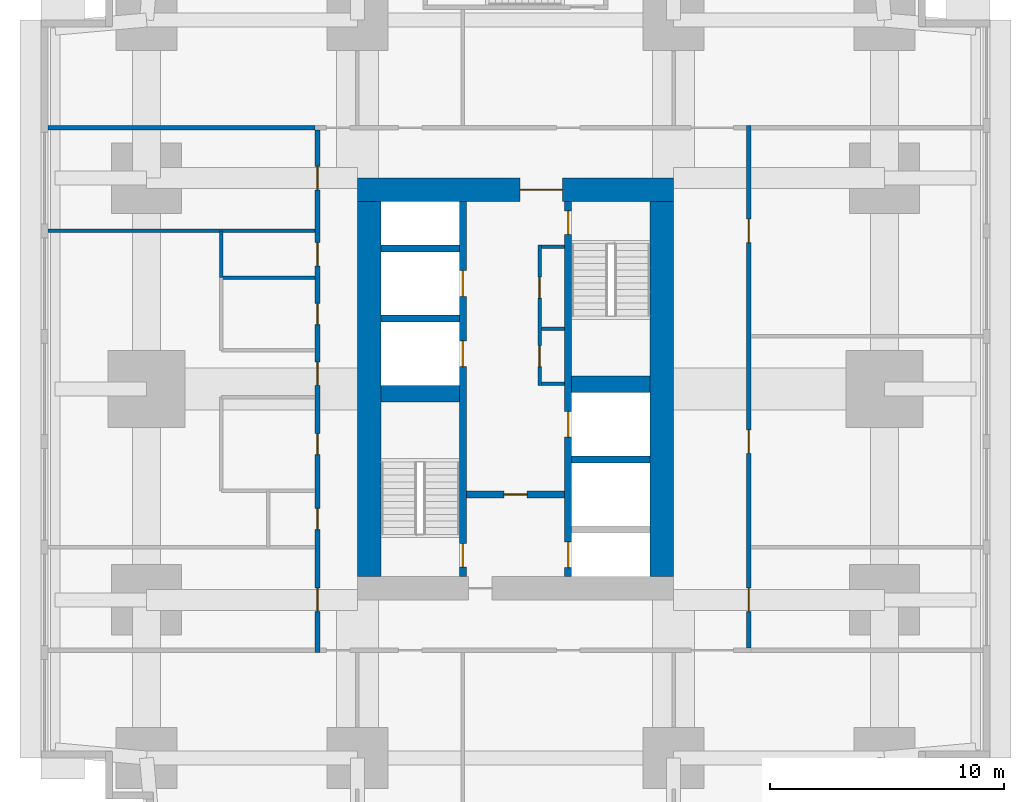
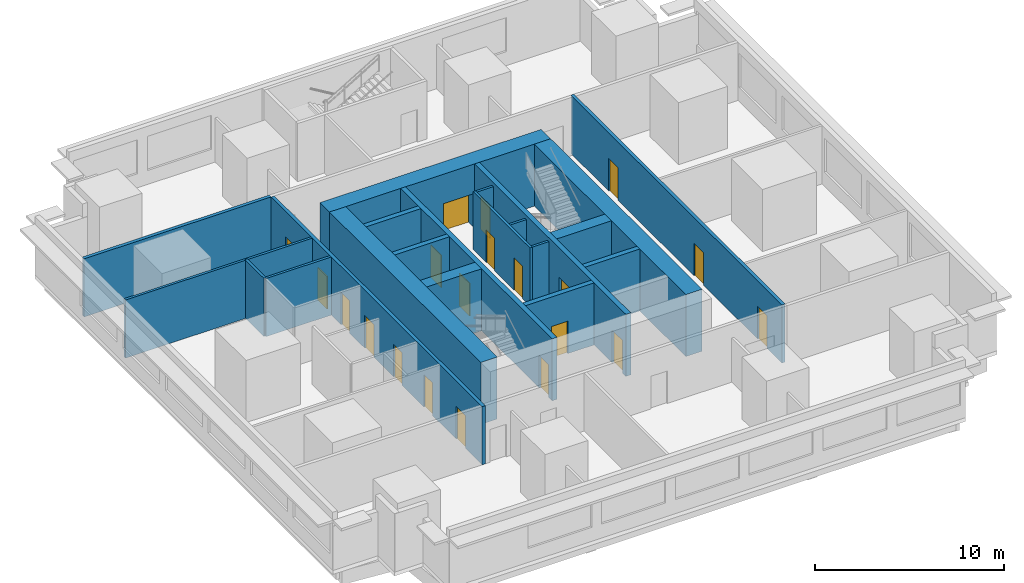
# One storey, part 4 of 12: 21 walls, 20 doors, 20 openings.
"""IFC4 building model written with IfcOpenShell, lengths in metres."""

from ifc_helpers import new_model, si_unit, direction, frame, frame_2d, origin, place, context, subcontext, project, spatial, rectangle, extrude, material, layer, layer_set, type_object, element, fill, save


model = new_model("IFC4")

# Units and contexts
model_context = context("Model", 3, precision=1e-05, world=origin(), true_north=direction((0.0, 1.0)))
body_context = subcontext(model_context, "Body", "Model", "MODEL_VIEW")
ifc_project = project(units=[si_unit("LENGTHUNIT", "METRE"), si_unit("AREAUNIT", "SQUARE_METRE"), si_unit("VOLUMEUNIT", "CUBIC_METRE"), si_unit("PLANEANGLEUNIT", "RADIAN"), si_unit("MASSUNIT", "GRAM", prefix="KILO")], contexts=[model_context])

# Site, building, storey
site_placement = place(None, origin())
site = spatial("IfcSite", under=ifc_project, at=site_placement, CompositionType="ELEMENT")
building_placement = place(site_placement, origin())
building = spatial("IfcBuilding", under=site, at=building_placement, Name="Namib Vertical Campus", CompositionType="ELEMENT")
storey_placement = place(building_placement, frame((0.0, 0.0, 45.0)))
storey = spatial("IfcBuildingStorey", under=building, at=storey_placement, Name="L10", CompositionType="ELEMENT", Elevation=45.0)

# Wall, openings, doors
ifc_material_1 = material(Name="Concrete C60/75", Category="concrete")
ifc_layer_1 = layer(ifc_material_1, 0.300048828125)
ifc_layer_set_1 = layer_set([ifc_layer_1], Name="Concrete C60/75")
wall_type_1 = type_object("IfcWallType", Name="Core inner wall 300", PredefinedType="SHEAR", material=ifc_layer_set_1)
wall_1_placement = place(storey_placement, frame((18.0, 12.25, 0.0), z_axis=(0.0, 0.0, 1.0), x_axis=(0.0, 1.0, 0.0)))
wall_1 = element("IfcWall", 1, at=wall_1_placement, inside=storey, type_object=wall_type_1, Name="Core inner wall A L10 W1", PredefinedType="SHEAR", context=body_context, shape_type="SweptSolid", body=[
    extrude(rectangle(XDim=16.0, YDim=0.300048828125, at=frame_2d((8.0, 0.0))), origin(), (0.0, 0.0, 1.0), 4.0),
])
opening_1_placement = place(wall_1_placement, frame((0.39990234375, 0.0, 0.0)))
opening_1 = element("IfcOpeningElement", 2, at=opening_1_placement, cuts=wall_1, Name="Opening FD1", PredefinedType="OPENING", context=body_context, shape_type="SweptSolid", body=[
    extrude(rectangle(XDim=1.0, YDim=2.10009765625, at=frame_2d((0.5, 1.050048828125))), frame((0.0, 0.159912109375, 0.0), z_axis=(0.0, -1.0, 0.0), x_axis=(1.0, 0.0, 0.0)), (0.0, 0.0, 1.0), 0.320068359375),
])
opening_2_placement = place(wall_1_placement, frame((8.949951171875, 0.0, 0.0)))
opening_2 = element("IfcOpeningElement", 3, at=opening_2_placement, cuts=wall_1, Name="Opening LD1", PredefinedType="OPENING", context=body_context, shape_type="SweptSolid", body=[
    extrude(rectangle(XDim=1.10009765625, YDim=2.10009765625, at=frame_2d((0.550048828125, 1.050048828125))), frame((0.0, 0.159912109375, 0.0), z_axis=(0.0, -1.0, 0.0), x_axis=(1.0, 0.0, 0.0)), (0.0, 0.0, 1.0), 0.320068359375),
])
opening_3_placement = place(wall_1_placement, frame((11.949951171875, 0.0, 0.0)))
opening_3 = element("IfcOpeningElement", 4, at=opening_3_placement, cuts=wall_1, Name="Opening LD1", PredefinedType="OPENING", context=body_context, shape_type="SweptSolid", body=[
    extrude(rectangle(XDim=1.10009765625, YDim=2.10009765625, at=frame_2d((0.550048828125, 1.050048828125))), frame((0.0, 0.159912109375, 0.0), z_axis=(0.0, -1.0, 0.0), x_axis=(1.0, 0.0, 0.0)), (0.0, 0.0, 1.0), 0.320068359375),
])
ifc_material_2 = material(Name="Steel fire door", Category="steel")
door_type_1 = type_object("IfcDoorType", Name="Fire door 1000x2100", OperationType="SINGLE_SWING_RIGHT", PredefinedType="DOOR", material=ifc_material_2)
door_1_placement = place(opening_1_placement, origin())
door_1 = element("IfcDoor", 5, at=door_1_placement, inside=storey, type_object=door_type_1, Name="Stair door FD1 A L10 S1", OperationType="SINGLE_SWING_LEFT", OverallHeight=2.10009765625, OverallWidth=1.0, PredefinedType="DOOR", context=body_context, shape_type="SweptSolid", body=[
    extrude(rectangle(XDim=1.0, YDim=2.10009765625, at=frame_2d((0.5, 1.050048828125))), frame((0.0, 0.02490234375, 0.0), z_axis=(0.0, -1.0, 0.0), x_axis=(1.0, 0.0, 0.0)), (0.0, 0.0, 1.0), 0.050048828125),
])
fill(opening_1, door_1)
ifc_material_3 = material(Name="Stainless steel lift door", Category="steel")
door_type_2 = type_object("IfcDoorType", Name="Lift landing door 1100x2100", OperationType="DOUBLE_DOOR_SLIDING", PredefinedType="DOOR", material=ifc_material_3)
door_2_placement = place(opening_2_placement, origin())
door_2 = element("IfcDoor", 6, at=door_2_placement, inside=storey, type_object=door_type_2, Name="Lift landing door LD1 A-P1 L10", OperationType="DOUBLE_DOOR_SLIDING", OverallHeight=2.10009765625, OverallWidth=1.10009765625, PredefinedType="DOOR", context=body_context, shape_type="SweptSolid", body=[
    extrude(rectangle(XDim=1.10009765625, YDim=2.10009765625, at=frame_2d((0.550048828125, 1.050048828125))), frame((0.0, 0.02490234375, 0.0), z_axis=(0.0, -1.0, 0.0), x_axis=(1.0, 0.0, 0.0)), (0.0, 0.0, 1.0), 0.050048828125),
])
fill(opening_2, door_2)
door_3_placement = place(opening_3_placement, origin())
door_3 = element("IfcDoor", 7, at=door_3_placement, inside=storey, type_object=door_type_2, Name="Lift landing door LD1 A-P2 L10", OperationType="DOUBLE_DOOR_SLIDING", OverallHeight=2.10009765625, OverallWidth=1.10009765625, PredefinedType="DOOR", context=body_context, shape_type="SweptSolid", body=[
    extrude(rectangle(XDim=1.10009765625, YDim=2.10009765625, at=frame_2d((0.550048828125, 1.050048828125))), frame((0.0, 0.02490234375, 0.0), z_axis=(0.0, -1.0, 0.0), x_axis=(1.0, 0.0, 0.0)), (0.0, 0.0, 1.0), 0.050048828125),
])
fill(opening_3, door_3)

wall_2_placement = place(storey_placement, frame((22.5, 12.25, 0.0), z_axis=(0.0, 0.0, 1.0), x_axis=(0.0, 1.0, 0.0)))
wall_2 = element("IfcWall", 8, at=wall_2_placement, inside=storey, type_object=wall_type_1, Name="Core inner wall A L10 W2", PredefinedType="SHEAR", context=body_context, shape_type="SweptSolid", body=[
    extrude(rectangle(XDim=16.0, YDim=0.300048828125, at=frame_2d((8.0, 0.0))), origin(), (0.0, 0.0, 1.0), 4.0),
])
opening_4_placement = place(wall_2_placement, frame((14.60009765625, 0.0, 0.0)))
opening_4 = element("IfcOpeningElement", 9, at=opening_4_placement, cuts=wall_2, Name="Opening FD1", PredefinedType="OPENING", context=body_context, shape_type="SweptSolid", body=[
    extrude(rectangle(XDim=1.0, YDim=2.10009765625, at=frame_2d((0.5, 1.050048828125))), frame((0.0, 0.159912109375, 0.0), z_axis=(0.0, -1.0, 0.0), x_axis=(1.0, 0.0, 0.0)), (0.0, 0.0, 1.0), 0.320068359375),
])
opening_5_placement = place(wall_2_placement, frame((0.375, 0.0, 0.0)))
opening_5 = element("IfcOpeningElement", 10, at=opening_5_placement, cuts=wall_2, Name="Opening LD1", PredefinedType="OPENING", context=body_context, shape_type="SweptSolid", body=[
    extrude(rectangle(XDim=1.10009765625, YDim=2.10009765625, at=frame_2d((0.550048828125, 1.050048828125))), frame((0.0, 0.159912109375, 0.0), z_axis=(0.0, -1.0, 0.0), x_axis=(1.0, 0.0, 0.0)), (0.0, 0.0, 1.0), 0.320068359375),
])
opening_6_placement = place(wall_2_placement, frame((5.949951171875, 0.0, 0.0)))
opening_6 = element("IfcOpeningElement", 11, at=opening_6_placement, cuts=wall_2, Name="Opening LD1", PredefinedType="OPENING", context=body_context, shape_type="SweptSolid", body=[
    extrude(rectangle(XDim=1.10009765625, YDim=2.10009765625, at=frame_2d((0.550048828125, 1.050048828125))), frame((0.0, 0.159912109375, 0.0), z_axis=(0.0, -1.0, 0.0), x_axis=(1.0, 0.0, 0.0)), (0.0, 0.0, 1.0), 0.320068359375),
])
door_4_placement = place(opening_4_placement, frame((1.0, 0.0, 0.0), z_axis=(0.0, 0.0, 1.0), x_axis=(-1.0, 0.0, 0.0)))
door_4 = element("IfcDoor", 12, at=door_4_placement, inside=storey, type_object=door_type_1, Name="Stair door FD1 A L10 S2", OperationType="SINGLE_SWING_LEFT", OverallHeight=2.10009765625, OverallWidth=1.0, PredefinedType="DOOR", context=body_context, shape_type="SweptSolid", body=[
    extrude(rectangle(XDim=1.0, YDim=2.10009765625, at=frame_2d((0.5, 1.050048828125))), frame((0.0, 0.02490234375, 0.0), z_axis=(0.0, -1.0, 0.0), x_axis=(1.0, 0.0, 0.0)), (0.0, 0.0, 1.0), 0.050048828125),
])
fill(opening_4, door_4)
door_5_placement = place(opening_5_placement, origin())
door_5 = element("IfcDoor", 13, at=door_5_placement, inside=storey, type_object=door_type_2, Name="Lift landing door LD1 A-FL1 L10", OperationType="DOUBLE_DOOR_SLIDING", OverallHeight=2.10009765625, OverallWidth=1.10009765625, PredefinedType="DOOR", context=body_context, shape_type="SweptSolid", body=[
    extrude(rectangle(XDim=1.10009765625, YDim=2.10009765625, at=frame_2d((0.550048828125, 1.050048828125))), frame((0.0, 0.02490234375, 0.0), z_axis=(0.0, -1.0, 0.0), x_axis=(1.0, 0.0, 0.0)), (0.0, 0.0, 1.0), 0.050048828125),
])
fill(opening_5, door_5)
door_6_placement = place(opening_6_placement, origin())
door_6 = element("IfcDoor", 14, at=door_6_placement, inside=storey, type_object=door_type_2, Name="Lift landing door LD1 A-P5 L10", OperationType="DOUBLE_DOOR_SLIDING", OverallHeight=2.10009765625, OverallWidth=1.10009765625, PredefinedType="DOOR", context=body_context, shape_type="SweptSolid", body=[
    extrude(rectangle(XDim=1.10009765625, YDim=2.10009765625, at=frame_2d((0.550048828125, 1.050048828125))), frame((0.0, 0.02490234375, 0.0), z_axis=(0.0, -1.0, 0.0), x_axis=(1.0, 0.0, 0.0)), (0.0, 0.0, 1.0), 0.050048828125),
])
fill(opening_6, door_6)

# Wall, opening, door
wall_3_placement = place(storey_placement, frame((18.14990234375, 15.75, 0.0), z_axis=(0.0, 0.0, 1.0), x_axis=(1.0, 0.0, 0.0)))
wall_3 = element("IfcWall", 15, at=wall_3_placement, inside=storey, type_object=wall_type_1, Name="Core inner wall A L10 W4", PredefinedType="SHEAR", context=body_context, shape_type="SweptSolid", body=[
    extrude(rectangle(XDim=4.2001953125, YDim=0.300048828125, at=frame_2d((2.10009765625, 0.0))), origin(), (0.0, 0.0, 1.0), 4.0),
])
opening_7_placement = place(wall_3_placement, frame((1.60009765625, 0.0, 0.0)))
opening_7 = element("IfcOpeningElement", 16, at=opening_7_placement, cuts=wall_3, Name="Opening FD5", PredefinedType="OPENING", context=body_context, shape_type="SweptSolid", body=[
    extrude(rectangle(XDim=1.0, YDim=2.10009765625, at=frame_2d((0.5, 1.050048828125))), frame((0.0, 0.159912109375, 0.0), z_axis=(0.0, -1.0, 0.0), x_axis=(1.0, 0.0, 0.0)), (0.0, 0.0, 1.0), 0.320068359375),
])
ifc_material_4 = material(Name="Steel fire door", Category="steel")
door_type_3 = type_object("IfcDoorType", Name="Fire door 1000x2100 120 min", OperationType="SINGLE_SWING_RIGHT", PredefinedType="DOOR", material=ifc_material_4)
door_7_placement = place(opening_7_placement, frame((1.0, 0.0, 0.0), z_axis=(0.0, 0.0, 1.0), x_axis=(-1.0, 0.0, 0.0)))
door_7 = element("IfcDoor", 17, at=door_7_placement, inside=storey, type_object=door_type_3, Name="Lobby door FD5 A L10", OperationType="SINGLE_SWING_RIGHT", OverallHeight=2.10009765625, OverallWidth=1.0, PredefinedType="DOOR", context=body_context, shape_type="SweptSolid", body=[
    extrude(rectangle(XDim=1.0, YDim=2.10009765625, at=frame_2d((0.5, 1.050048828125))), frame((0.0, 0.02490234375, 0.0), z_axis=(0.0, -1.0, 0.0), x_axis=(1.0, 0.0, 0.0)), (0.0, 0.0, 1.0), 0.050048828125),
])
fill(opening_7, door_7)

# Walls
for number, where, z_axis, x_axis, name in (
    (18, (22.64990234375, 17.25, 0.0), (0.0, 0.0, 1.0), (1.0, 0.0, 0.0), "Core inner wall A L10 W6"),
    (19, (14.5, 23.25, 0.0), (0.0, 0.0, 1.0), (1.0, 0.0, 0.0), "Core inner wall A L10 W8"),
    (20, (14.5, 26.25, 0.0), (0.0, 0.0, 1.0), (1.0, 0.0, 0.0), "Core inner wall A L10 W9"),
):
    element("IfcWall", number, at=place(storey_placement, frame(where, z_axis=z_axis, x_axis=x_axis)), inside=storey, type_object=wall_type_1, Name=name, PredefinedType="SHEAR", context=body_context, shape_type="SweptSolid", body=[
        extrude(rectangle(XDim=3.35009765625, YDim=0.300048828125, at=frame_2d((1.675048828125, 0.0))), origin(), (0.0, 0.0, 1.0), 4.0),
    ])
ifc_material_5 = material(Name="Concrete C60/75", Category="concrete")
ifc_layer_2 = layer(ifc_material_5, 0.699951171875)
ifc_layer_set_2 = layer_set([ifc_layer_2], Name="Concrete C60/75")
wall_type_2 = type_object("IfcWallType", Name="Core shear wall 700", PredefinedType="SHEAR", material=ifc_layer_set_2)
for number, where, z_axis, x_axis, name in (
    (21, (14.5, 20.050048828125, 0.0), (0.0, 0.0, 1.0), (1.0, 0.0, 0.0), "Core shear wall A L10 W3"),
    (22, (22.64990234375, 20.449951171875, 0.0), (0.0, 0.0, 1.0), (1.0, 0.0, 0.0), "Core shear wall A L10 W7"),
):
    element("IfcWall", number, at=place(storey_placement, frame(where, z_axis=z_axis, x_axis=x_axis)), inside=storey, type_object=wall_type_2, Name=name, PredefinedType="SHEAR", context=body_context, shape_type="SweptSolid", body=[
        extrude(rectangle(XDim=3.35009765625, YDim=0.699951171875, at=frame_2d((1.675048828125, 0.0))), origin(), (0.0, 0.0, 1.0), 4.0),
    ])
ifc_material_6 = material(Name="Concrete C60/75", Category="concrete")
ifc_layer_3 = layer(ifc_material_6, 1.0)
ifc_layer_set_3 = layer_set([ifc_layer_3], Name="Concrete C60/75")
wall_type_3 = type_object("IfcWallType", Name="Core wall 1000", PredefinedType="SHEAR", material=ifc_layer_set_3)
wall_4_placement = place(storey_placement, frame((26.5, 12.25, 0.0), z_axis=(0.0, 0.0, 1.0), x_axis=(0.0, 1.0, 0.0)))
element("IfcWall", 23, at=wall_4_placement, inside=storey, type_object=wall_type_3, Name="Core wall A L10 2", PredefinedType="SHEAR", context=body_context, shape_type="SweptSolid", body=[
    extrude(rectangle(XDim=16.0, YDim=1.0, at=frame_2d((8.0, 0.0))), origin(), (0.0, 0.0, 1.0), 4.0),
])

# Wall, opening, door
wall_5_placement = place(storey_placement, frame((27.0, 28.75, 0.0), z_axis=(0.0, 0.0, 1.0), x_axis=(-1.0, 0.0, 0.0)))
wall_5 = element("IfcWall", 24, at=wall_5_placement, inside=storey, type_object=wall_type_3, Name="Core wall A L10 3", PredefinedType="SHEAR", context=body_context, shape_type="SweptSolid", body=[
    extrude(rectangle(XDim=13.5, YDim=1.0, at=frame_2d((6.75, 0.0))), origin(), (0.0, 0.0, 1.0), 4.0),
])
opening_8_placement = place(wall_5_placement, frame((4.75, 0.0, 0.0)))
opening_8 = element("IfcOpeningElement", 25, at=opening_8_placement, cuts=wall_5, Name="Opening FD2", PredefinedType="OPENING", context=body_context, shape_type="SweptSolid", body=[
    extrude(rectangle(XDim=1.800048828125, YDim=2.10009765625, at=frame_2d((0.89990234375, 1.050048828125))), frame((0.0, 0.510009765625, 0.0), z_axis=(0.0, -1.0, 0.0), x_axis=(1.0, 0.0, 0.0)), (0.0, 0.0, 1.0), 1.02001953125),
])
ifc_material_7 = material(Name="Steel fire door", Category="steel")
door_type_4 = type_object("IfcDoorType", Name="Fire door double 1800x2100", OperationType="DOUBLE_DOOR_SINGLE_SWING", PredefinedType="DOOR", material=ifc_material_7)
door_8_placement = place(opening_8_placement, origin())
door_8 = element("IfcDoor", 26, at=door_8_placement, inside=storey, type_object=door_type_4, Name="Lift lobby door FD2 A L10", OperationType="DOUBLE_DOOR_SINGLE_SWING", OverallHeight=2.10009765625, OverallWidth=1.800048828125, PredefinedType="DOOR", context=body_context, shape_type="SweptSolid", body=[
    extrude(rectangle(XDim=1.800048828125, YDim=2.10009765625, at=frame_2d((0.89990234375, 1.050048828125))), frame((0.0, 0.02490234375, 0.0), z_axis=(0.0, -1.0, 0.0), x_axis=(1.0, 0.0, 0.0)), (0.0, 0.0, 1.0), 0.050048828125),
])
fill(opening_8, door_8)

# Wall
wall_6_placement = place(storey_placement, frame((14.0, 28.25, 0.0), z_axis=(0.0, 0.0, 1.0), x_axis=(0.0, -1.0, 0.0)))
element("IfcWall", 27, at=wall_6_placement, inside=storey, type_object=wall_type_3, Name="Core wall A L10 4", PredefinedType="SHEAR", context=body_context, shape_type="SweptSolid", body=[
    extrude(rectangle(XDim=16.0, YDim=1.0, at=frame_2d((8.0, 0.0))), origin(), (0.0, 0.0, 1.0), 4.0),
])

# Wall, openings, doors
ifc_material_8 = material(Name="Concrete masonry", Category="masonry")
ifc_layer_4 = layer(ifc_material_8, 0.199951171875)
ifc_layer_set_4 = layer_set([ifc_layer_4], Name="Corridor wall 200")
wall_type_4 = type_object("IfcWallType", Name="Corridor wall 200", PredefinedType="SOLIDWALL", material=ifc_layer_set_4)
wall_7_placement = place(storey_placement, frame((30.199951171875, 9.199951171875, 0.0), z_axis=(0.0, 0.0, 1.0), x_axis=(0.0, 1.0, 0.0)))
wall_7 = element("IfcWall", 28, at=wall_7_placement, inside=storey, type_object=wall_type_4, Name="Corridor wall A L10 CE", PredefinedType="SOLIDWALL", context=body_context, shape_type="SweptSolid", body=[
    extrude(rectangle(XDim=22.300048828125, YDim=0.199951171875, at=frame_2d((11.14990234375, 0.0))), origin(), (0.0, 0.0, 1.0), 3.75),
])
opening_9_placement = place(wall_7_placement, frame((1.550048828125, 0.0, 0.0)))
opening_9 = element("IfcOpeningElement", 29, at=opening_9_placement, cuts=wall_7, Name="Opening CD1", PredefinedType="OPENING", context=body_context, shape_type="SweptSolid", body=[
    extrude(rectangle(XDim=1.0, YDim=2.10009765625, at=frame_2d((0.5, 1.050048828125))), frame((0.0, 0.10986328125, 0.0), z_axis=(0.0, -1.0, 0.0), x_axis=(1.0, 0.0, 0.0)), (0.0, 0.0, 1.0), 0.219970703125),
])
opening_10_placement = place(wall_7_placement, frame((8.300048828125, 0.0, 0.0)))
opening_10 = element("IfcOpeningElement", 30, at=opening_10_placement, cuts=wall_7, Name="Opening CD1", PredefinedType="OPENING", context=body_context, shape_type="SweptSolid", body=[
    extrude(rectangle(XDim=1.0, YDim=2.10009765625, at=frame_2d((0.5, 1.050048828125))), frame((0.0, 0.10986328125, 0.0), z_axis=(0.0, -1.0, 0.0), x_axis=(1.0, 0.0, 0.0)), (0.0, 0.0, 1.0), 0.219970703125),
])
opening_11_placement = place(wall_7_placement, frame((17.300048828125, 0.0, 0.0)))
opening_11 = element("IfcOpeningElement", 31, at=opening_11_placement, cuts=wall_7, Name="Opening CD1", PredefinedType="OPENING", context=body_context, shape_type="SweptSolid", body=[
    extrude(rectangle(XDim=1.0, YDim=2.10009765625, at=frame_2d((0.5, 1.050048828125))), frame((0.0, 0.10986328125, 0.0), z_axis=(0.0, -1.0, 0.0), x_axis=(1.0, 0.0, 0.0)), (0.0, 0.0, 1.0), 0.219970703125),
])
ifc_material_9 = material(Name="Timber fire door leaf", Category="wood")
door_type_5 = type_object("IfcDoorType", Name="Corridor door 1000x2100 20 min", OperationType="SINGLE_SWING_LEFT", PredefinedType="DOOR", material=ifc_material_9)
door_9_placement = place(opening_9_placement, frame((1.0, 0.0, 0.0), z_axis=(0.0, 0.0, 1.0), x_axis=(-1.0, 0.0, 0.0)))
door_9 = element("IfcDoor", 32, at=door_9_placement, inside=storey, type_object=door_type_5, Name="Door CD1 A10-05", OperationType="SINGLE_SWING_RIGHT", OverallHeight=2.10009765625, OverallWidth=1.0, PredefinedType="DOOR", context=body_context, shape_type="SweptSolid", body=[
    extrude(rectangle(XDim=1.0, YDim=2.10009765625, at=frame_2d((0.5, 1.050048828125))), frame((0.0, 0.02490234375, 0.0), z_axis=(0.0, -1.0, 0.0), x_axis=(1.0, 0.0, 0.0)), (0.0, 0.0, 1.0), 0.050048828125),
])
fill(opening_9, door_9)
door_10_placement = place(opening_10_placement, frame((1.0, 0.0, 0.0), z_axis=(0.0, 0.0, 1.0), x_axis=(-1.0, 0.0, 0.0)))
door_10 = element("IfcDoor", 33, at=door_10_placement, inside=storey, type_object=door_type_5, Name="Door CD1 A10-06", OperationType="SINGLE_SWING_RIGHT", OverallHeight=2.10009765625, OverallWidth=1.0, PredefinedType="DOOR", context=body_context, shape_type="SweptSolid", body=[
    extrude(rectangle(XDim=1.0, YDim=2.10009765625, at=frame_2d((0.5, 1.050048828125))), frame((0.0, 0.02490234375, 0.0), z_axis=(0.0, -1.0, 0.0), x_axis=(1.0, 0.0, 0.0)), (0.0, 0.0, 1.0), 0.050048828125),
])
fill(opening_10, door_10)
door_11_placement = place(opening_11_placement, frame((1.0, 0.0, 0.0), z_axis=(0.0, 0.0, 1.0), x_axis=(-1.0, 0.0, 0.0)))
door_11 = element("IfcDoor", 34, at=door_11_placement, inside=storey, type_object=door_type_5, Name="Door CD1 A10-07", OperationType="SINGLE_SWING_RIGHT", OverallHeight=2.10009765625, OverallWidth=1.0, PredefinedType="DOOR", context=body_context, shape_type="SweptSolid", body=[
    extrude(rectangle(XDim=1.0, YDim=2.10009765625, at=frame_2d((0.5, 1.050048828125))), frame((0.0, 0.02490234375, 0.0), z_axis=(0.0, -1.0, 0.0), x_axis=(1.0, 0.0, 0.0)), (0.0, 0.0, 1.0), 0.050048828125),
])
fill(opening_11, door_11)

wall_8_placement = place(storey_placement, frame((11.800048828125, 31.300048828125, 0.0), z_axis=(0.0, 0.0, 1.0), x_axis=(0.0, -1.0, 0.0)))
wall_8 = element("IfcWall", 35, at=wall_8_placement, inside=storey, type_object=wall_type_4, Name="Corridor wall A L10 CW", PredefinedType="SOLIDWALL", context=body_context, shape_type="SweptSolid", body=[
    extrude(rectangle(XDim=22.300048828125, YDim=0.199951171875, at=frame_2d((11.14990234375, 0.0))), origin(), (0.0, 0.0, 1.0), 3.75),
])
opening_12_placement = place(wall_8_placement, frame((19.550048828125, 0.0, 0.0)))
opening_12 = element("IfcOpeningElement", 36, at=opening_12_placement, cuts=wall_8, Name="Opening CD1", PredefinedType="OPENING", context=body_context, shape_type="SweptSolid", body=[
    extrude(rectangle(XDim=1.0, YDim=2.10009765625, at=frame_2d((0.5, 1.050048828125))), frame((0.0, 0.10986328125, 0.0), z_axis=(0.0, -1.0, 0.0), x_axis=(1.0, 0.0, 0.0)), (0.0, 0.0, 1.0), 0.219970703125),
])
opening_13_placement = place(wall_8_placement, frame((16.14990234375, 0.0, 0.0)))
opening_13 = element("IfcOpeningElement", 37, at=opening_13_placement, cuts=wall_8, Name="Opening CD3", PredefinedType="OPENING", context=body_context, shape_type="SweptSolid", body=[
    extrude(rectangle(XDim=0.89990234375, YDim=2.10009765625, at=frame_2d((0.449951171875, 1.050048828125))), frame((0.0, 0.10986328125, 0.0), z_axis=(0.0, -1.0, 0.0), x_axis=(1.0, 0.0, 0.0)), (0.0, 0.0, 1.0), 0.219970703125),
])
opening_14_placement = place(wall_8_placement, frame((12.949951171875, 0.0, 0.0)))
opening_14 = element("IfcOpeningElement", 38, at=opening_14_placement, cuts=wall_8, Name="Opening CD3", PredefinedType="OPENING", context=body_context, shape_type="SweptSolid", body=[
    extrude(rectangle(XDim=0.89990234375, YDim=2.10009765625, at=frame_2d((0.449951171875, 1.050048828125))), frame((0.0, 0.10986328125, 0.0), z_axis=(0.0, -1.0, 0.0), x_axis=(1.0, 0.0, 0.0)), (0.0, 0.0, 1.0), 0.219970703125),
])
opening_15_placement = place(wall_8_placement, frame((7.39990234375, 0.0, 0.0)))
opening_15 = element("IfcOpeningElement", 39, at=opening_15_placement, cuts=wall_8, Name="Opening CD3", PredefinedType="OPENING", context=body_context, shape_type="SweptSolid", body=[
    extrude(rectangle(XDim=0.89990234375, YDim=2.10009765625, at=frame_2d((0.449951171875, 1.050048828125))), frame((0.0, 0.10986328125, 0.0), z_axis=(0.0, -1.0, 0.0), x_axis=(1.0, 0.0, 0.0)), (0.0, 0.0, 1.0), 0.219970703125),
])
opening_16_placement = place(wall_8_placement, frame((4.800048828125, 0.0, 0.0)))
opening_16 = element("IfcOpeningElement", 40, at=opening_16_placement, cuts=wall_8, Name="Opening CD1", PredefinedType="OPENING", context=body_context, shape_type="SweptSolid", body=[
    extrude(rectangle(XDim=1.0, YDim=2.10009765625, at=frame_2d((0.5, 1.050048828125))), frame((0.0, 0.10986328125, 0.0), z_axis=(0.0, -1.0, 0.0), x_axis=(1.0, 0.0, 0.0)), (0.0, 0.0, 1.0), 0.219970703125),
])
opening_17_placement = place(wall_8_placement, frame((9.89990234375, 0.0, 0.0)))
opening_17 = element("IfcOpeningElement", 41, at=opening_17_placement, cuts=wall_8, Name="Opening CD1", PredefinedType="OPENING", context=body_context, shape_type="SweptSolid", body=[
    extrude(rectangle(XDim=1.0, YDim=2.10009765625, at=frame_2d((0.5, 1.050048828125))), frame((0.0, 0.10986328125, 0.0), z_axis=(0.0, -1.0, 0.0), x_axis=(1.0, 0.0, 0.0)), (0.0, 0.0, 1.0), 0.219970703125),
])
opening_18_placement = place(wall_8_placement, frame((1.550048828125, 0.0, 0.0)))
opening_18 = element("IfcOpeningElement", 42, at=opening_18_placement, cuts=wall_8, Name="Opening CD1", PredefinedType="OPENING", context=body_context, shape_type="SweptSolid", body=[
    extrude(rectangle(XDim=1.0, YDim=2.10009765625, at=frame_2d((0.5, 1.050048828125))), frame((0.0, 0.10986328125, 0.0), z_axis=(0.0, -1.0, 0.0), x_axis=(1.0, 0.0, 0.0)), (0.0, 0.0, 1.0), 0.219970703125),
])
door_12_placement = place(opening_12_placement, frame((1.0, 0.0, 0.0), z_axis=(0.0, 0.0, 1.0), x_axis=(-1.0, 0.0, 0.0)))
door_12 = element("IfcDoor", 43, at=door_12_placement, inside=storey, type_object=door_type_5, Name="Door CD1 A10-12", OperationType="SINGLE_SWING_RIGHT", OverallHeight=2.10009765625, OverallWidth=1.0, PredefinedType="DOOR", context=body_context, shape_type="SweptSolid", body=[
    extrude(rectangle(XDim=1.0, YDim=2.10009765625, at=frame_2d((0.5, 1.050048828125))), frame((0.0, 0.02490234375, 0.0), z_axis=(0.0, -1.0, 0.0), x_axis=(1.0, 0.0, 0.0)), (0.0, 0.0, 1.0), 0.050048828125),
])
fill(opening_12, door_12)
door_13_placement = place(opening_16_placement, frame((1.0, 0.0, 0.0), z_axis=(0.0, 0.0, 1.0), x_axis=(-1.0, 0.0, 0.0)))
door_13 = element("IfcDoor", 44, at=door_13_placement, inside=storey, type_object=door_type_5, Name="Door CD1 A10-16", OperationType="SINGLE_SWING_RIGHT", OverallHeight=2.10009765625, OverallWidth=1.0, PredefinedType="DOOR", context=body_context, shape_type="SweptSolid", body=[
    extrude(rectangle(XDim=1.0, YDim=2.10009765625, at=frame_2d((0.5, 1.050048828125))), frame((0.0, 0.02490234375, 0.0), z_axis=(0.0, -1.0, 0.0), x_axis=(1.0, 0.0, 0.0)), (0.0, 0.0, 1.0), 0.050048828125),
])
fill(opening_16, door_13)
door_14_placement = place(opening_17_placement, frame((1.0, 0.0, 0.0), z_axis=(0.0, 0.0, 1.0), x_axis=(-1.0, 0.0, 0.0)))
door_14 = element("IfcDoor", 45, at=door_14_placement, inside=storey, type_object=door_type_5, Name="Door CD1 A10-17", OperationType="SINGLE_SWING_RIGHT", OverallHeight=2.10009765625, OverallWidth=1.0, PredefinedType="DOOR", context=body_context, shape_type="SweptSolid", body=[
    extrude(rectangle(XDim=1.0, YDim=2.10009765625, at=frame_2d((0.5, 1.050048828125))), frame((0.0, 0.02490234375, 0.0), z_axis=(0.0, -1.0, 0.0), x_axis=(1.0, 0.0, 0.0)), (0.0, 0.0, 1.0), 0.050048828125),
])
fill(opening_17, door_14)
door_15_placement = place(opening_18_placement, frame((1.0, 0.0, 0.0), z_axis=(0.0, 0.0, 1.0), x_axis=(-1.0, 0.0, 0.0)))
door_15 = element("IfcDoor", 46, at=door_15_placement, inside=storey, type_object=door_type_5, Name="Door CD1 A10-18", OperationType="SINGLE_SWING_RIGHT", OverallHeight=2.10009765625, OverallWidth=1.0, PredefinedType="DOOR", context=body_context, shape_type="SweptSolid", body=[
    extrude(rectangle(XDim=1.0, YDim=2.10009765625, at=frame_2d((0.5, 1.050048828125))), frame((0.0, 0.02490234375, 0.0), z_axis=(0.0, -1.0, 0.0), x_axis=(1.0, 0.0, 0.0)), (0.0, 0.0, 1.0), 0.050048828125),
])
fill(opening_18, door_15)
ifc_material_10 = material(Name="Timber fire door leaf", Category="wood")
door_type_6 = type_object("IfcDoorType", Name="Corridor toilet door 900x2100 20 min", OperationType="SINGLE_SWING_LEFT", PredefinedType="DOOR", material=ifc_material_10)
door_16_placement = place(opening_13_placement, frame((0.89990234375, 0.0, 0.0), z_axis=(0.0, 0.0, 1.0), x_axis=(-1.0, 0.0, 0.0)))
door_16 = element("IfcDoor", 47, at=door_16_placement, inside=storey, type_object=door_type_6, Name="Door CD3 A10-13", OperationType="SINGLE_SWING_RIGHT", OverallHeight=2.10009765625, OverallWidth=0.89990234375, PredefinedType="DOOR", context=body_context, shape_type="SweptSolid", body=[
    extrude(rectangle(XDim=0.89990234375, YDim=2.10009765625, at=frame_2d((0.449951171875, 1.050048828125))), frame((0.0, 0.02490234375, 0.0), z_axis=(0.0, -1.0, 0.0), x_axis=(1.0, 0.0, 0.0)), (0.0, 0.0, 1.0), 0.050048828125),
])
fill(opening_13, door_16)
door_17_placement = place(opening_14_placement, frame((0.89990234375, 0.0, 0.0), z_axis=(0.0, 0.0, 1.0), x_axis=(-1.0, 0.0, 0.0)))
door_17 = element("IfcDoor", 48, at=door_17_placement, inside=storey, type_object=door_type_6, Name="Door CD3 A10-14", OperationType="SINGLE_SWING_RIGHT", OverallHeight=2.10009765625, OverallWidth=0.89990234375, PredefinedType="DOOR", context=body_context, shape_type="SweptSolid", body=[
    extrude(rectangle(XDim=0.89990234375, YDim=2.10009765625, at=frame_2d((0.449951171875, 1.050048828125))), frame((0.0, 0.02490234375, 0.0), z_axis=(0.0, -1.0, 0.0), x_axis=(1.0, 0.0, 0.0)), (0.0, 0.0, 1.0), 0.050048828125),
])
fill(opening_14, door_17)
door_18_placement = place(opening_15_placement, frame((0.89990234375, 0.0, 0.0), z_axis=(0.0, 0.0, 1.0), x_axis=(-1.0, 0.0, 0.0)))
door_18 = element("IfcDoor", 49, at=door_18_placement, inside=storey, type_object=door_type_6, Name="Door CD3 A10-15", OperationType="SINGLE_SWING_RIGHT", OverallHeight=2.10009765625, OverallWidth=0.89990234375, PredefinedType="DOOR", context=body_context, shape_type="SweptSolid", body=[
    extrude(rectangle(XDim=0.89990234375, YDim=2.10009765625, at=frame_2d((0.449951171875, 1.050048828125))), frame((0.0, 0.02490234375, 0.0), z_axis=(0.0, -1.0, 0.0), x_axis=(1.0, 0.0, 0.0)), (0.0, 0.0, 1.0), 0.050048828125),
])
fill(opening_15, door_18)

# Wall
wall_9_placement = place(storey_placement, frame((0.300048828125, 31.39990234375, 0.0), z_axis=(0.0, 0.0, 1.0), x_axis=(1.0, 0.0, 0.0)))
element("IfcWall", 50, at=wall_9_placement, inside=storey, type_object=wall_type_4, Name="Partition A L10 BNW", PredefinedType="SOLIDWALL", context=body_context, shape_type="SweptSolid", body=[
    extrude(rectangle(XDim=11.39990234375, YDim=0.199951171875, at=frame_2d((5.699951171875, 0.0))), origin(), (0.0, 0.0, 1.0), 3.75),
])

# Wall, openings, doors
ifc_material_11 = material(Name="Gypsum board on steel studs", Category="steel")
ifc_layer_5 = layer(ifc_material_11, 0.14990234375)
ifc_layer_set_5 = layer_set([ifc_layer_5], Name="Gypsum board on steel studs")
wall_type_5 = type_object("IfcWallType", Name="Partition 150", PredefinedType="PARTITIONING", material=ifc_layer_set_5)
wall_10_placement = place(storey_placement, frame((21.27490234375, 20.39990234375, 0.0), z_axis=(0.0, 0.0, 1.0), x_axis=(0.0, 1.0, 0.0)))
wall_10 = element("IfcWall", 51, at=wall_10_placement, inside=storey, type_object=wall_type_5, Name="Partition A L10 Cleaners' store and Tea point front", PredefinedType="PARTITIONING", context=body_context, shape_type="SweptSolid", body=[
    extrude(rectangle(XDim=6.0, YDim=0.14990234375, at=frame_2d((3.0, 0.0))), origin(), (0.0, 0.0, 1.0), 3.75),
])
opening_19_placement = place(wall_10_placement, frame((0.800048828125, 0.0, 0.0)))
opening_19 = element("IfcOpeningElement", 52, at=opening_19_placement, cuts=wall_10, Name="Opening D3", PredefinedType="OPENING", context=body_context, shape_type="SweptSolid", body=[
    extrude(rectangle(XDim=0.89990234375, YDim=2.10009765625, at=frame_2d((0.449951171875, 1.050048828125))), frame((0.0, 0.0849609375, 0.0), z_axis=(0.0, -1.0, 0.0), x_axis=(1.0, 0.0, 0.0)), (0.0, 0.0, 1.0), 0.169921875),
])
opening_20_placement = place(wall_10_placement, frame((3.72509765625, 0.0, 0.0)))
opening_20 = element("IfcOpeningElement", 53, at=opening_20_placement, cuts=wall_10, Name="Opening D3", PredefinedType="OPENING", context=body_context, shape_type="SweptSolid", body=[
    extrude(rectangle(XDim=0.89990234375, YDim=2.10009765625, at=frame_2d((0.449951171875, 1.050048828125))), frame((0.0, 0.0849609375, 0.0), z_axis=(0.0, -1.0, 0.0), x_axis=(1.0, 0.0, 0.0)), (0.0, 0.0, 1.0), 0.169921875),
])
ifc_material_12 = material(Name="Timber door leaf", Category="wood")
door_type_7 = type_object("IfcDoorType", Name="Toilet door 900x2100", OperationType="SINGLE_SWING_LEFT", PredefinedType="DOOR", material=ifc_material_12)
door_19_placement = place(opening_19_placement, frame((0.89990234375, 0.0, 0.0), z_axis=(0.0, 0.0, 1.0), x_axis=(-1.0, 0.0, 0.0)))
door_19 = element("IfcDoor", 54, at=door_19_placement, inside=storey, type_object=door_type_7, Name="Door D3 Cleaners' store A L10", OperationType="SINGLE_SWING_RIGHT", OverallHeight=2.10009765625, OverallWidth=0.89990234375, PredefinedType="DOOR", context=body_context, shape_type="SweptSolid", body=[
    extrude(rectangle(XDim=0.89990234375, YDim=2.10009765625, at=frame_2d((0.449951171875, 1.050048828125))), frame((0.0, 0.02490234375, 0.0), z_axis=(0.0, -1.0, 0.0), x_axis=(1.0, 0.0, 0.0)), (0.0, 0.0, 1.0), 0.050048828125),
])
fill(opening_19, door_19)
door_20_placement = place(opening_20_placement, frame((0.89990234375, 0.0, 0.0), z_axis=(0.0, 0.0, 1.0), x_axis=(-1.0, 0.0, 0.0)))
door_20 = element("IfcDoor", 55, at=door_20_placement, inside=storey, type_object=door_type_7, Name="Door D3 Tea point A L10", OperationType="SINGLE_SWING_RIGHT", OverallHeight=2.10009765625, OverallWidth=0.89990234375, PredefinedType="DOOR", context=body_context, shape_type="SweptSolid", body=[
    extrude(rectangle(XDim=0.89990234375, YDim=2.10009765625, at=frame_2d((0.449951171875, 1.050048828125))), frame((0.0, 0.02490234375, 0.0), z_axis=(0.0, -1.0, 0.0), x_axis=(1.0, 0.0, 0.0)), (0.0, 0.0, 1.0), 0.050048828125),
])
fill(opening_20, door_20)

# Walls
for number, where, z_axis, x_axis, name in (
    (56, (21.35009765625, 20.47509765625, 0.0), (0.0, 0.0, 1.0), (1.0, 0.0, 0.0), "Partition A L10 Cleaners' store and Tea point end 1"),
    (57, (21.35009765625, 22.824951171875, 0.0), (0.0, 0.0, 1.0), (1.0, 0.0, 0.0), "Partition A L10 Cleaners' store and Tea point division 2"),
    (58, (21.35009765625, 26.324951171875, 0.0), (0.0, 0.0, 1.0), (1.0, 0.0, 0.0), "Partition A L10 Cleaners' store and Tea point end 3"),
):
    element("IfcWall", number, at=place(storey_placement, frame(where, z_axis=z_axis, x_axis=x_axis)), inside=storey, type_object=wall_type_5, Name=name, PredefinedType="PARTITIONING", context=body_context, shape_type="SweptSolid", body=[
        extrude(rectangle(XDim=1.0, YDim=0.14990234375, at=frame_2d((0.5, 0.0))), origin(), (0.0, 0.0, 1.0), 3.75),
    ])
wall_11_placement = place(storey_placement, frame((0.300048828125, 27.0, 0.0), z_axis=(0.0, 0.0, 1.0), x_axis=(1.0, 0.0, 0.0)))
element("IfcWall", 59, at=wall_11_placement, inside=storey, type_object=wall_type_5, Name="Partition A L10 PW2", PredefinedType="PARTITIONING", context=body_context, shape_type="SweptSolid", body=[
    extrude(rectangle(XDim=11.39990234375, YDim=0.14990234375, at=frame_2d((5.699951171875, 0.0))), origin(), (0.0, 0.0, 1.0), 3.75),
])
wall_12_placement = place(storey_placement, frame((11.699951171875, 25.0, 0.0), z_axis=(0.0, 0.0, 1.0), x_axis=(-1.0, 0.0, 0.0)))
element("IfcWall", 60, at=wall_12_placement, inside=storey, type_object=wall_type_5, Name="Partition A L10 WR4", PredefinedType="PARTITIONING", context=body_context, shape_type="SweptSolid", body=[
    extrude(rectangle(XDim=4.0, YDim=0.14990234375, at=frame_2d((2.0, 0.0))), origin(), (0.0, 0.0, 1.0), 3.75),
])
wall_13_placement = place(storey_placement, frame((7.699951171875, 25.0, 0.0), z_axis=(0.0, 0.0, 1.0), x_axis=(0.0, 1.0, 0.0)))
element("IfcWall", 61, at=wall_13_placement, inside=storey, type_object=wall_type_5, Name="Partition A L10 WB4", PredefinedType="PARTITIONING", context=body_context, shape_type="SweptSolid", body=[
    extrude(rectangle(XDim=2.0, YDim=0.14990234375, at=frame_2d((1.0, 0.0))), origin(), (0.0, 0.0, 1.0), 3.75),
])

save(model, "model.ifc")
